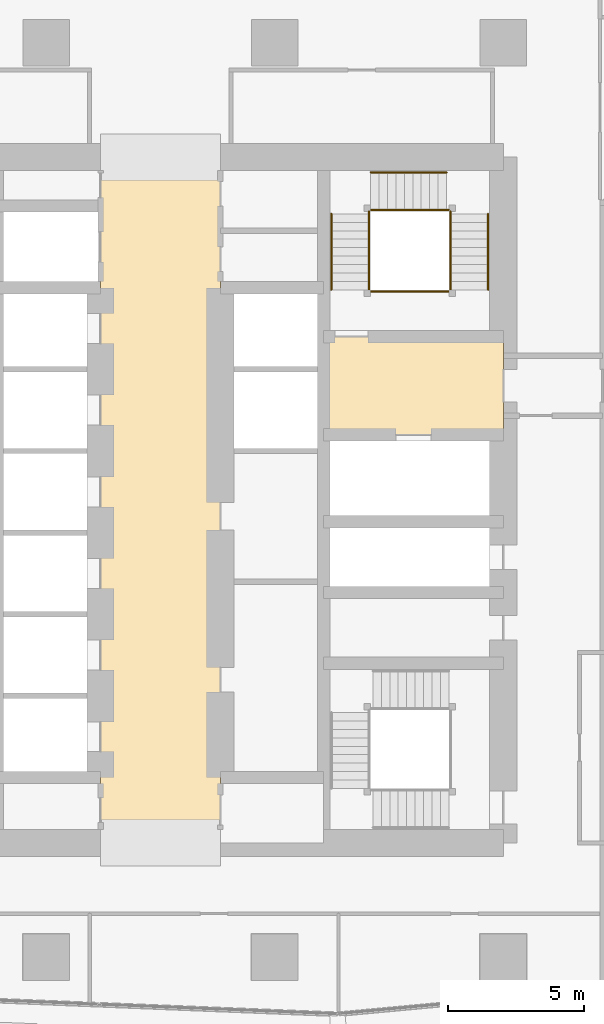
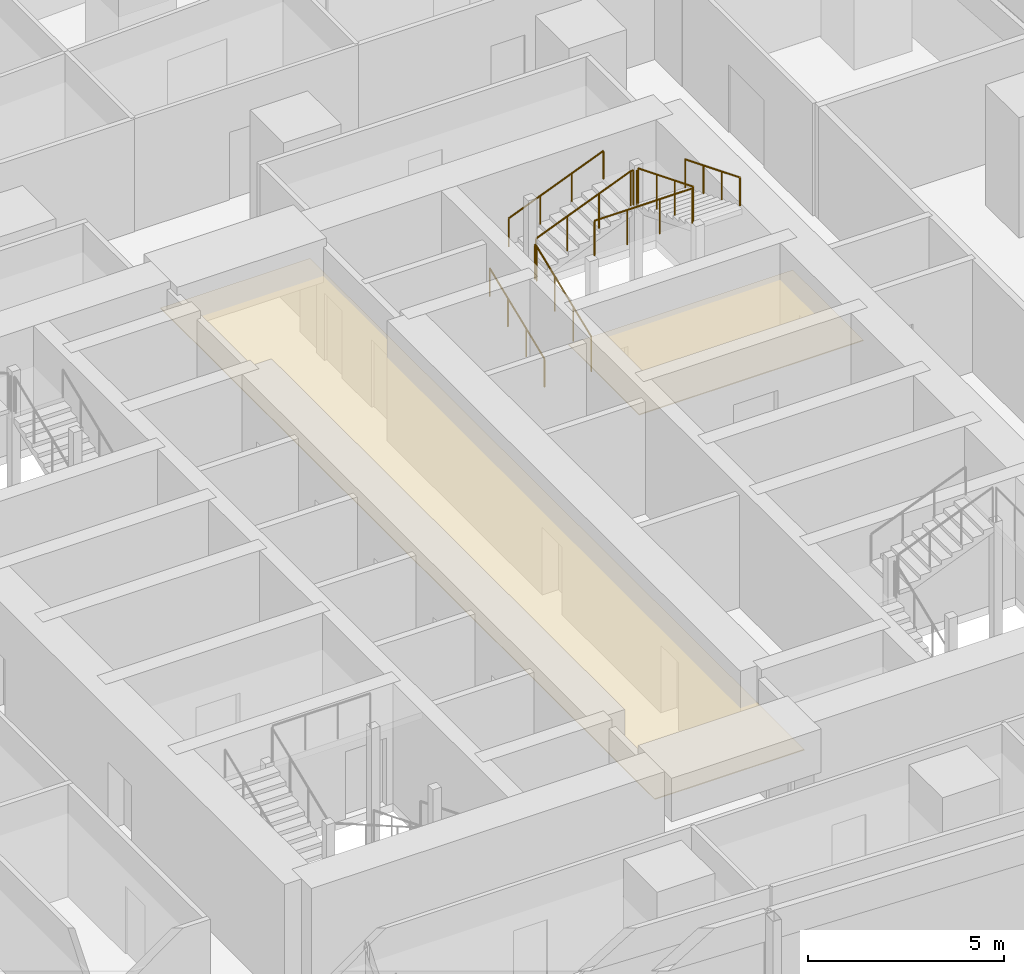
# One storey, part 33 of 34: 10 railings, 2 coverings.
"""IFC4 building model written with IfcOpenShell, lengths in metres."""

from ifc_helpers import new_model, si_unit, direction, frame, origin, origin_2d, place, context, subcontext, project, spatial, polyline, circle, outline, extrude, material, layer, layer_set, type_object, element, save


model = new_model("IFC4")

# Units and contexts
model_context = context("Model", 3, precision=1e-05, world=origin(), true_north=direction((0.0, 1.0)))
body_context = subcontext(model_context, "Body", "Model", "MODEL_VIEW")
ifc_project = project(units=[si_unit("LENGTHUNIT", "METRE"), si_unit("AREAUNIT", "SQUARE_METRE"), si_unit("VOLUMEUNIT", "CUBIC_METRE"), si_unit("PLANEANGLEUNIT", "RADIAN"), si_unit("MASSUNIT", "GRAM", prefix="KILO")], contexts=[model_context])

# Site, building, storey
site_placement = place(None, origin())
site = spatial("IfcSite", under=ifc_project, at=site_placement, CompositionType="ELEMENT")
building_placement = place(site_placement, origin())
building = spatial("IfcBuilding", under=site, at=building_placement, Name="Rekha Terrace Tower", CompositionType="ELEMENT")
storey_placement = place(building_placement, frame((0.0, 0.0, 176.449951171875)))
storey = spatial("IfcBuildingStorey", under=building, at=storey_placement, Name="L44", CompositionType="ELEMENT", Elevation=176.449951171875)

# Coverings
ifc_material_1 = material(Name="Powder-coated aluminium pan", Category="aluminium")
ifc_layer = layer(ifc_material_1, 0.030029296875)
ifc_layer_set = layer_set([ifc_layer], Name="Powder-coated aluminium pan")
covering_type = type_object("IfcCoveringType", Name="CL3 300x1200 metal pan ceiling", PredefinedType="CEILING", material=ifc_layer_set)
covering_1_placement = place(storey_placement, frame((0.0, 0.0, 2.570068359375)))
element("IfcCovering", 1, at=covering_1_placement, inside=storey, type_object=covering_type, Name="Ceiling L44-LOBBY", PredefinedType="CEILING", context=body_context, shape_type="SweptSolid", body=[
    extrude(outline(polyline([(40.0, 46.199951171875), (35.60009765625, 46.199951171875), (35.60009765625, 21.0), (40.0, 21.0), (40.0, 46.199951171875)])), origin(), (0.0, 0.0, 1.0), 0.030029296875),
])
covering_2_placement = place(storey_placement, frame((0.0, 0.0, 2.570068359375)))
element("IfcCovering", 2, at=covering_2_placement, inside=storey, type_object=covering_type, Name="Ceiling L44-FLB2", PredefinedType="CEILING", context=body_context, shape_type="SweptSolid", body=[
    extrude(outline(polyline([(50.39990234375, 39.60009765625), (43.800048828125, 39.60009765625), (43.800048828125, 36.0), (50.39990234375, 36.0), (50.39990234375, 39.60009765625)])), origin(), (0.0, 0.0, 1.0), 0.030029296875),
])

# Railings
ifc_material_2 = material(Name="Stainless steel balustrade", Category="steel")
railing_type_1 = type_object("IfcRailingType", Name="GR1 1100 stair guard", PredefinedType="GUARDRAIL", material=ifc_material_2)
railing_1_placement = place(storey_placement, frame((45.465087890625, 41.324951171875, 0.125)))
element("IfcRailing", 3, at=railing_1_placement, inside=storey, type_object=railing_type_1, Name="Guard ST2 L44 flight 1", PredefinedType="GUARDRAIL", context=body_context, shape_type="SweptSolid", body=[
    extrude(circle(Radius=0.02392578125, at=origin_2d()), frame((0.0, 0.0, 1.076171875), z_axis=(0.0, 0.927443287984, 0.373963831907), x_axis=(-1.0, 0.0, 0.0)), (0.0, 0.0, 1.0), 3.00830078125),
    extrude(circle(Radius=0.02099609375, at=origin_2d()), origin(), (0.0, 0.0, 1.0), 1.052001953125),
    extrude(circle(Radius=0.02099609375, at=origin_2d()), frame((0.0, 0.929931640625, 0.375)), (0.0, 0.0, 1.0), 1.052001953125),
    extrude(circle(Radius=0.02099609375, at=origin_2d()), frame((0.0, 1.860107421875, 0.75)), (0.0, 0.0, 1.0), 1.052001953125),
    extrude(circle(Radius=0.02099609375, at=origin_2d()), frame((0.0, 2.7900390625, 1.125)), (0.0, 0.0, 1.0), 1.052001953125),
])
railing_2_placement = place(storey_placement, frame((45.52490234375, 44.260009765625, 1.375)))
element("IfcRailing", 4, at=railing_2_placement, inside=storey, type_object=railing_type_1, Name="Guard ST2 L44 flight 2", PredefinedType="GUARDRAIL", context=body_context, shape_type="SweptSolid", body=[
    extrude(circle(Radius=0.02392578125, at=origin_2d()), frame((0.0, 0.0, 1.076171875), z_axis=(0.927443287984, 0.0, 0.373963831907), x_axis=(0.0, 1.0, 0.0)), (0.0, 0.0, 1.0), 3.00830078125),
    extrude(circle(Radius=0.02099609375, at=origin_2d()), origin(), (0.0, 0.0, 1.0), 1.052001953125),
    extrude(circle(Radius=0.02099609375, at=origin_2d()), frame((0.929931640625, 0.0, 0.375)), (0.0, 0.0, 1.0), 1.052001953125),
    extrude(circle(Radius=0.02099609375, at=origin_2d()), frame((1.860107421875, 0.0, 0.75)), (0.0, 0.0, 1.0), 1.052001953125),
    extrude(circle(Radius=0.02099609375, at=origin_2d()), frame((2.7900390625, 0.0, 1.125)), (0.0, 0.0, 1.0), 1.052001953125),
])
railing_3_placement = place(storey_placement, frame((48.4599609375, 44.114990234375, 2.625)))
element("IfcRailing", 5, at=railing_3_placement, inside=storey, type_object=railing_type_1, Name="Guard ST2 L44 flight 3", PredefinedType="GUARDRAIL", context=body_context, shape_type="SweptSolid", body=[
    extrude(circle(Radius=0.02392578125, at=origin_2d()), frame((0.0, 0.0, 1.076171875), z_axis=(0.0, -0.927443287984, 0.373963831907), x_axis=(1.0, 0.0, 0.0)), (0.0, 0.0, 1.0), 3.00830078125),
    extrude(circle(Radius=0.02099609375, at=origin_2d()), origin(), (0.0, 0.0, 1.0), 1.052001953125),
    extrude(circle(Radius=0.02099609375, at=origin_2d()), frame((0.0, -0.929931640625, 0.375)), (0.0, 0.0, 1.0), 1.052001953125),
    extrude(circle(Radius=0.02099609375, at=origin_2d()), frame((0.0, -1.860107421875, 0.75)), (0.0, 0.0, 1.0), 1.052001953125),
    extrude(circle(Radius=0.02099609375, at=origin_2d()), frame((0.0, -2.7900390625, 1.125)), (0.0, 0.0, 1.0), 1.052001953125),
])
railing_4_placement = place(storey_placement, frame((45.465087890625, 44.114990234375, 1.25)))
element("IfcRailing", 6, at=railing_4_placement, inside=storey, type_object=railing_type_1, Name="Guard ST2 L44 landing 1", PredefinedType="GUARDRAIL", context=body_context, shape_type="SweptSolid", body=[
    extrude(circle(Radius=0.02392578125, at=origin_2d()), frame((0.0, 0.0, 1.076171875), z_axis=(0.0, 1.0, 0.0), x_axis=(-1.0, 0.0, 0.0)), (0.0, 0.0, 1.0), 0.0849609375),
    extrude(circle(Radius=0.02099609375, at=origin_2d()), origin(), (0.0, 0.0, 1.0), 1.052001953125),
    extrude(circle(Radius=0.02099609375, at=origin_2d()), frame((0.0, 0.0849609375, 0.0)), (0.0, 0.0, 1.0), 1.052001953125),
])
railing_5_placement = place(storey_placement, frame((48.31494140625, 44.260009765625, 2.5)))
element("IfcRailing", 7, at=railing_5_placement, inside=storey, type_object=railing_type_1, Name="Guard ST2 L44 landing 2", PredefinedType="GUARDRAIL", context=body_context, shape_type="SweptSolid", body=[
    extrude(circle(Radius=0.02392578125, at=origin_2d()), frame((0.0, 0.0, 1.076171875), z_axis=(1.0, 0.0, 0.0), x_axis=(0.0, 1.0, 0.0)), (0.0, 0.0, 1.0), 0.0849609375),
    extrude(circle(Radius=0.02099609375, at=origin_2d()), origin(), (0.0, 0.0, 1.0), 1.052001953125),
    extrude(circle(Radius=0.02099609375, at=origin_2d()), frame((0.0849609375, 0.0, 0.0)), (0.0, 0.0, 1.0), 1.052001953125),
])
railing_6_placement = place(storey_placement, frame((48.4599609375, 44.114990234375, 2.5)))
element("IfcRailing", 8, at=railing_6_placement, inside=storey, type_object=railing_type_1, Name="Guard ST2 L44 landing 3", PredefinedType="GUARDRAIL", context=body_context, shape_type="SweptSolid", body=[
    extrude(circle(Radius=0.02392578125, at=origin_2d()), frame((0.0, 0.0, 1.076171875), z_axis=(0.0, 1.0, 0.0), x_axis=(-1.0, 0.0, 0.0)), (0.0, 0.0, 1.0), 0.0849609375),
    extrude(circle(Radius=0.02099609375, at=origin_2d()), origin(), (0.0, 0.0, 1.0), 1.052001953125),
    extrude(circle(Radius=0.02099609375, at=origin_2d()), frame((0.0, 0.0849609375, 0.0)), (0.0, 0.0, 1.0), 1.052001953125),
])
railing_7_placement = place(storey_placement, frame((45.52490234375, 41.264892578125, 3.75)))
element("IfcRailing", 9, at=railing_7_placement, inside=storey, type_object=railing_type_1, Name="Guard ST2 L44 landing 4", PredefinedType="GUARDRAIL", context=body_context, shape_type="SweptSolid", body=[
    extrude(circle(Radius=0.02392578125, at=origin_2d()), frame((0.0, 0.0, 1.076171875), z_axis=(1.0, 0.0, 0.0), x_axis=(0.0, 1.0, 0.0)), (0.0, 0.0, 1.0), 2.875),
    extrude(circle(Radius=0.02099609375, at=origin_2d()), origin(), (0.0, 0.0, 1.0), 1.052001953125),
    extrude(circle(Radius=0.02099609375, at=origin_2d()), frame((0.958251953125, 0.0, 0.0)), (0.0, 0.0, 1.0), 1.052001953125),
    extrude(circle(Radius=0.02099609375, at=origin_2d()), frame((1.916748046875, 0.0, 0.0)), (0.0, 0.0, 1.0), 1.052001953125),
    extrude(circle(Radius=0.02099609375, at=origin_2d()), frame((2.875, 0.0, 0.0)), (0.0, 0.0, 1.0), 1.052001953125),
])
ifc_material_3 = material(Name="Stainless steel tube", Category="steel")
railing_type_2 = type_object("IfcRailingType", Name="HR1 900 stair handrail", PredefinedType="HANDRAIL", material=ifc_material_3)
railing_8_placement = place(storey_placement, frame((44.0849609375, 41.324951171875, 0.125)))
element("IfcRailing", 10, at=railing_8_placement, inside=storey, type_object=railing_type_2, Name="Handrail ST2 L44 flight 1", PredefinedType="HANDRAIL", context=body_context, shape_type="SweptSolid", body=[
    extrude(circle(Radius=0.02392578125, at=origin_2d()), frame((0.0, 0.0, 0.8759765625), z_axis=(0.0, 0.927443287984, 0.373963831907), x_axis=(-1.0, 0.0, 0.0)), (0.0, 0.0, 1.0), 3.00830078125),
    extrude(circle(Radius=0.02099609375, at=origin_2d()), origin(), (0.0, 0.0, 1.0), 0.851806640625),
    extrude(circle(Radius=0.02099609375, at=origin_2d()), frame((0.0, 0.929931640625, 0.375)), (0.0, 0.0, 1.0), 0.851806640625),
    extrude(circle(Radius=0.02099609375, at=origin_2d()), frame((0.0, 1.860107421875, 0.75)), (0.0, 0.0, 1.0), 0.851806640625),
    extrude(circle(Radius=0.02099609375, at=origin_2d()), frame((0.0, 2.7900390625, 1.125)), (0.0, 0.0, 1.0), 0.851806640625),
])
railing_9_placement = place(storey_placement, frame((45.52490234375, 45.639892578125, 1.375)))
element("IfcRailing", 11, at=railing_9_placement, inside=storey, type_object=railing_type_2, Name="Handrail ST2 L44 flight 2", PredefinedType="HANDRAIL", context=body_context, shape_type="SweptSolid", body=[
    extrude(circle(Radius=0.02392578125, at=origin_2d()), frame((0.0, 0.0, 0.8759765625), z_axis=(0.927443287984, 0.0, 0.373963831907), x_axis=(0.0, 1.0, 0.0)), (0.0, 0.0, 1.0), 3.00830078125),
    extrude(circle(Radius=0.02099609375, at=origin_2d()), origin(), (0.0, 0.0, 1.0), 0.851806640625),
    extrude(circle(Radius=0.02099609375, at=origin_2d()), frame((0.929931640625, 0.0, 0.375)), (0.0, 0.0, 1.0), 0.851806640625),
    extrude(circle(Radius=0.02099609375, at=origin_2d()), frame((1.860107421875, 0.0, 0.75)), (0.0, 0.0, 1.0), 0.851806640625),
    extrude(circle(Radius=0.02099609375, at=origin_2d()), frame((2.7900390625, 0.0, 1.125)), (0.0, 0.0, 1.0), 0.851806640625),
])
railing_10_placement = place(storey_placement, frame((49.840087890625, 44.114990234375, 2.625)))
element("IfcRailing", 12, at=railing_10_placement, inside=storey, type_object=railing_type_2, Name="Handrail ST2 L44 flight 3", PredefinedType="HANDRAIL", context=body_context, shape_type="SweptSolid", body=[
    extrude(circle(Radius=0.02392578125, at=origin_2d()), frame((0.0, 0.0, 0.8759765625), z_axis=(0.0, -0.927443287984, 0.373963831907), x_axis=(1.0, 0.0, 0.0)), (0.0, 0.0, 1.0), 3.00830078125),
    extrude(circle(Radius=0.02099609375, at=origin_2d()), origin(), (0.0, 0.0, 1.0), 0.851806640625),
    extrude(circle(Radius=0.02099609375, at=origin_2d()), frame((0.0, -0.929931640625, 0.375)), (0.0, 0.0, 1.0), 0.851806640625),
    extrude(circle(Radius=0.02099609375, at=origin_2d()), frame((0.0, -1.860107421875, 0.75)), (0.0, 0.0, 1.0), 0.851806640625),
    extrude(circle(Radius=0.02099609375, at=origin_2d()), frame((0.0, -2.7900390625, 1.125)), (0.0, 0.0, 1.0), 0.851806640625),
])

save(model, "model.ifc")
